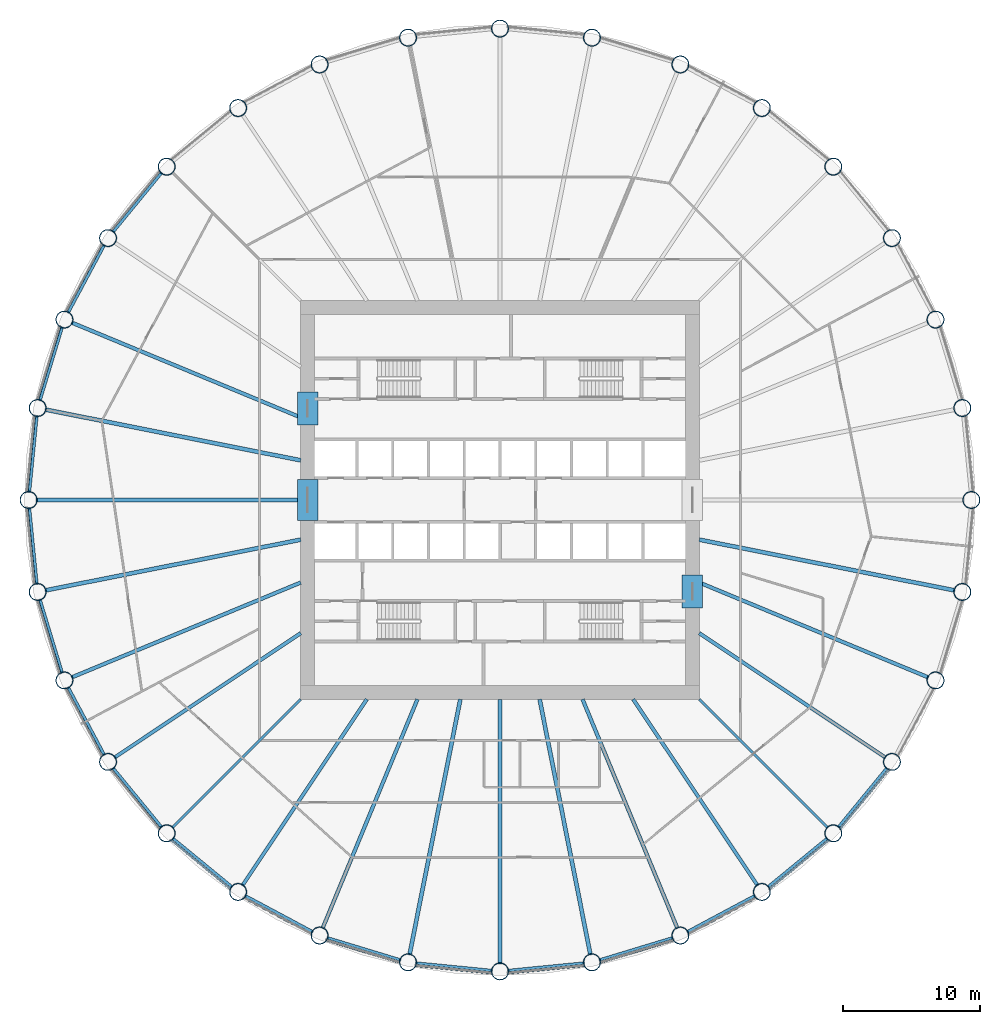
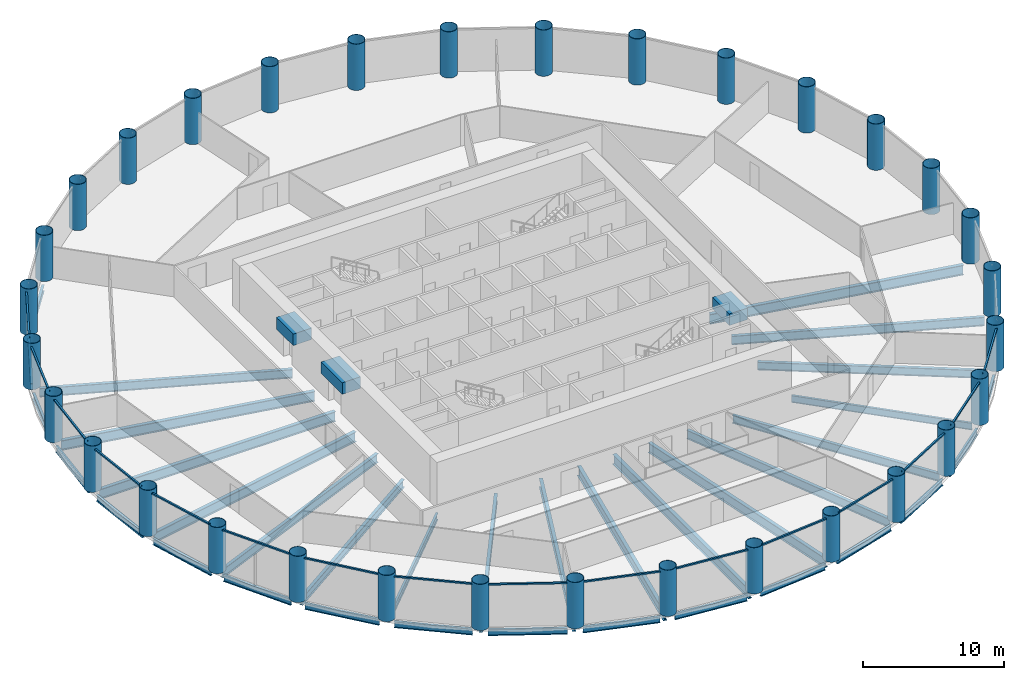
# One storey, part 1 of 8: 38 beams, 32 columns, 16 members, 16 elements without a shape of their own.
"""IFC4 building model written with IfcOpenShell, lengths in metres."""

from ifc_helpers import new_model, si_unit, direction, frame, origin, origin_2d, place, context, subcontext, project, spatial, rectangle, hollow_circle, i_section, extrude, material, material_profile, profile_set, type_object, element, aggregate, save


model = new_model("IFC4")

# Units and contexts
model_context = context("Model", 3, precision=1e-05, world=origin(), true_north=direction((0.0, 1.0)))
body_context = subcontext(model_context, "Body", "Model", "MODEL_VIEW")
ifc_project = project(units=[si_unit("LENGTHUNIT", "METRE"), si_unit("AREAUNIT", "SQUARE_METRE"), si_unit("VOLUMEUNIT", "CUBIC_METRE"), si_unit("PLANEANGLEUNIT", "RADIAN"), si_unit("MASSUNIT", "GRAM", prefix="KILO")], contexts=[model_context])

# Site, building, storey
site_placement = place(None, origin())
site = spatial("IfcSite", under=ifc_project, at=site_placement, CompositionType="ELEMENT")
building_placement = place(site_placement, origin())
building = spatial("IfcBuilding", under=site, at=building_placement, Name="Corvane Civic Tower", CompositionType="ELEMENT")
storey_placement = place(building_placement, frame((0.0, 0.0, 114.5)))
storey = spatial("IfcBuildingStorey", under=building, at=storey_placement, Name="L26", CompositionType="ELEMENT", Elevation=114.5)

# Columns
ifc_material_1 = material(Name="Steel ASTM A572 Gr 50", Category="steel")
ifc_material_profile_1 = material_profile(ifc_material_1, hollow_circle(Radius=0.625, WallThickness=0.035888671875, at=origin_2d()), Name="CHS1250X36")
ifc_profile_set_1 = profile_set([ifc_material_profile_1], Name="Steel ASTM A572 Gr 50")
column_type = type_object("IfcColumnType", Name="COMPOSITE COLUMN CHS1250X36", PredefinedType="COLUMN", material=ifc_profile_set_1)
for number, where, z_axis, x_axis, name in (
    (1, (0.0, 34.300048828125, 0.0), (0.0, 0.0, 1.0), (1.0, 0.0, 0.0), "COL-L26-B01"),
    (2, (6.691650390625, 33.640869140625, 0.0), (0.0, 0.0, 1.0), (1.0, 0.0, 0.0), "COL-L26-B02"),
    (3, (13.1259765625, 31.68896484375, 0.0), (0.0, 0.0, 1.0), (1.0, 0.0, 0.0), "COL-L26-B03"),
    (4, (19.05615234375, 28.519287109375, 0.0), (0.0, 0.0, 1.0), (1.0, 0.0, 0.0), "COL-L26-B04"),
    (5, (24.253662109375, 24.253662109375, 0.0), (0.0, 0.0, 1.0), (1.0, 0.0, 0.0), "COL-L26-B05"),
    (6, (28.519287109375, 19.05615234375, 0.0), (0.0, 0.0, 1.0), (1.0, 0.0, 0.0), "COL-L26-B06"),
    (7, (31.68896484375, 13.1259765625, 0.0), (0.0, 0.0, 1.0), (1.0, 0.0, 0.0), "COL-L26-B07"),
    (8, (33.640869140625, 6.691650390625, 0.0), (0.0, 0.0, 1.0), (1.0, 0.0, 0.0), "COL-L26-B08"),
    (9, (34.300048828125, 0.0, 0.0), (0.0, 0.0, 1.0), (1.0, 0.0, 0.0), "COL-L26-B09"),
    (10, (33.640869140625, -6.691650390625, 0.0), (0.0, 0.0, 1.0), (1.0, 0.0, 0.0), "COL-L26-B10"),
    (11, (31.68896484375, -13.1259765625, 0.0), (0.0, 0.0, 1.0), (1.0, 0.0, 0.0), "COL-L26-B11"),
    (12, (28.519287109375, -19.05615234375, 0.0), (0.0, 0.0, 1.0), (1.0, 0.0, 0.0), "COL-L26-B12"),
    (13, (24.253662109375, -24.253662109375, 0.0), (0.0, 0.0, 1.0), (1.0, 0.0, 0.0), "COL-L26-B13"),
    (14, (19.05615234375, -28.519287109375, 0.0), (0.0, 0.0, 1.0), (1.0, 0.0, 0.0), "COL-L26-B14"),
    (15, (13.1259765625, -31.68896484375, 0.0), (0.0, 0.0, 1.0), (1.0, 0.0, 0.0), "COL-L26-B15"),
    (16, (6.691650390625, -33.640869140625, 0.0), (0.0, 0.0, 1.0), (1.0, 0.0, 0.0), "COL-L26-B16"),
    (17, (0.0, -34.300048828125, 0.0), (0.0, 0.0, 1.0), (1.0, 0.0, 0.0), "COL-L26-B17"),
    (18, (-6.691650390625, -33.640869140625, 0.0), (0.0, 0.0, 1.0), (1.0, 0.0, 0.0), "COL-L26-B18"),
    (19, (-13.1259765625, -31.68896484375, 0.0), (0.0, 0.0, 1.0), (1.0, 0.0, 0.0), "COL-L26-B19"),
    (20, (-19.05615234375, -28.519287109375, 0.0), (0.0, 0.0, 1.0), (1.0, 0.0, 0.0), "COL-L26-B20"),
    (21, (-24.253662109375, -24.253662109375, 0.0), (0.0, 0.0, 1.0), (1.0, 0.0, 0.0), "COL-L26-B21"),
    (22, (-28.519287109375, -19.05615234375, 0.0), (0.0, 0.0, 1.0), (1.0, 0.0, 0.0), "COL-L26-B22"),
    (23, (-31.68896484375, -13.1259765625, 0.0), (0.0, 0.0, 1.0), (1.0, 0.0, 0.0), "COL-L26-B23"),
    (24, (-33.640869140625, -6.691650390625, 0.0), (0.0, 0.0, 1.0), (1.0, 0.0, 0.0), "COL-L26-B24"),
    (25, (-34.300048828125, 0.0, 0.0), (0.0, 0.0, 1.0), (1.0, 0.0, 0.0), "COL-L26-B25"),
    (26, (-33.640869140625, 6.691650390625, 0.0), (0.0, 0.0, 1.0), (1.0, 0.0, 0.0), "COL-L26-B26"),
    (27, (-31.68896484375, 13.1259765625, 0.0), (0.0, 0.0, 1.0), (1.0, 0.0, 0.0), "COL-L26-B27"),
    (28, (-28.519287109375, 19.05615234375, 0.0), (0.0, 0.0, 1.0), (1.0, 0.0, 0.0), "COL-L26-B28"),
    (29, (-24.253662109375, 24.253662109375, 0.0), (0.0, 0.0, 1.0), (1.0, 0.0, 0.0), "COL-L26-B29"),
    (30, (-19.05615234375, 28.519287109375, 0.0), (0.0, 0.0, 1.0), (1.0, 0.0, 0.0), "COL-L26-B30"),
    (31, (-13.1259765625, 31.68896484375, 0.0), (0.0, 0.0, 1.0), (1.0, 0.0, 0.0), "COL-L26-B31"),
    (32, (-6.691650390625, 33.640869140625, 0.0), (0.0, 0.0, 1.0), (1.0, 0.0, 0.0), "COL-L26-B32"),
):
    element("IfcColumn", number, at=place(storey_placement, frame(where, z_axis=z_axis, x_axis=x_axis)), inside=storey, type_object=column_type, Name=name, PredefinedType="COLUMN", context=body_context, shape_type="SweptSolid", body=[
        extrude(hollow_circle(Radius=0.625, WallThickness=0.035888671875, at=origin_2d()), origin(), (0.0, 0.0, 1.0), 4.0),
    ])

# Beams
ifc_material_2 = material(Name="Concrete C70/85", Category="concrete")
ifc_material_profile_2 = material_profile(ifc_material_2, rectangle(XDim=1.5, YDim=1.0, at=origin_2d()), Name="COUPLING BEAM 1500X1000")
ifc_profile_set_2 = profile_set([ifc_material_profile_2], Name="Concrete C70/85")
beam_type_1 = type_object("IfcBeamType", Name="COUPLING BEAM COUPLING BEAM 1500X1000", PredefinedType="BEAM", material=ifc_profile_set_2)
beam_1_placement = place(storey_placement, frame((-14.0, -1.5, 2.60009765625), z_axis=(0.0, 1.0, 0.0), x_axis=(-1.0, 0.0, 0.0)))
element("IfcBeam", 33, at=beam_1_placement, inside=storey, type_object=beam_type_1, Name="BM-L26-cpl-CW-LW", PredefinedType="BEAM", context=body_context, shape_type="SweptSolid", body=[
    extrude(rectangle(XDim=1.5, YDim=1.0, at=origin_2d()), origin(), (0.0, 0.0, 1.0), 3.0),
])
for number, where, z_axis, x_axis, name in (
    (34, (-14.0, 5.449951171875, 2.60009765625), (0.0, 1.0, 0.0), (-1.0, 0.0, 0.0), "BM-L26-cpl-CW-WN"),
    (35, (14.0, -7.85009765625, 2.60009765625), (0.0, 1.0, 0.0), (-1.0, 0.0, 0.0), "BM-L26-cpl-CW-ES"),
):
    element("IfcBeam", number, at=place(storey_placement, frame(where, z_axis=z_axis, x_axis=x_axis)), inside=storey, type_object=beam_type_1, Name=name, PredefinedType="BEAM", context=body_context, shape_type="SweptSolid", body=[
        extrude(rectangle(XDim=1.5, YDim=1.0, at=origin_2d()), origin(), (0.0, 0.0, 1.0), 2.400146484375),
    ])
ifc_material_3 = material(Name="Steel ASTM A992 Gr 50", Category="steel")
ifc_material_profile_3 = material_profile(ifc_material_3, i_section(OverallWidth=0.209228515625, OverallDepth=0.533447265625, WebThickness=0.01025390625, FlangeThickness=0.015625, at=origin_2d()), Name="W21X62")
ifc_profile_set_3 = profile_set([ifc_material_profile_3], Name="Steel ASTM A992 Gr 50")
beam_type_2 = type_object("IfcBeamType", Name="EDGE BEAM W21X62", PredefinedType="BEAM", material=ifc_profile_set_3)
for number, where, z_axis, x_axis, name in (
    (36, (28.17041015625, -19.481201171875, -0.566650390625), (-0.634397765782, -0.773006775372, 0.0), (0.773006775372, -0.634397765782, 0.0), "BM-L26-E12"),
    (37, (23.82861328125, -24.6025390625, -0.566650390625), (-0.773006775372, -0.634397765782, 0.0), (0.634397765782, -0.773006775372, 0.0), "BM-L26-E13"),
    (38, (18.571044921875, -28.778564453125, -0.566650390625), (-0.88192357867, -0.471392407008, 0.0), (0.471392407008, -0.88192357867, 0.0), "BM-L26-E14"),
):
    element("IfcBeam", number, at=place(storey_placement, frame(where, z_axis=z_axis, x_axis=x_axis)), inside=storey, type_object=beam_type_2, Name=name, PredefinedType="BEAM", context=body_context, shape_type="SweptSolid", body=[
        extrude(i_section(OverallWidth=0.209228515625, OverallDepth=0.533447265625, WebThickness=0.01025390625, FlangeThickness=0.015625, at=origin_2d()), origin(), (0.0, 0.0, 1.0), 5.6240234375),
    ])
beam_2_placement = place(storey_placement, frame((12.599609375, -31.8486328125, -0.566650390625), z_axis=(-0.956936367498, -0.290297758448, 0.0), x_axis=(0.290297758448, -0.956936367498, 0.0)))
element("IfcBeam", 39, at=beam_2_placement, inside=storey, type_object=beam_type_2, Name="BM-L26-E15", PredefinedType="BEAM", context=body_context, shape_type="SweptSolid", body=[
    extrude(i_section(OverallWidth=0.209228515625, OverallDepth=0.533447265625, WebThickness=0.01025390625, FlangeThickness=0.015625, at=origin_2d()), origin(), (0.0, 0.0, 1.0), 5.623779296875),
])
for number, where, z_axis, x_axis, name in (
    (40, (6.144287109375, -33.69482421875, -0.566650390625), (-0.995184368522, -0.098020776625, 0.0), (0.098020776625, -0.995184368522, 0.0), "BM-L26-E16"),
    (41, (-0.54736328125, -34.24609375, -0.566650390625), (-0.995184368522, 0.098020776625, 0.0), (-0.098020776625, -0.995184368522, 0.0), "BM-L26-E17"),
):
    element("IfcBeam", number, at=place(storey_placement, frame(where, z_axis=z_axis, x_axis=x_axis)), inside=storey, type_object=beam_type_2, Name=name, PredefinedType="BEAM", context=body_context, shape_type="SweptSolid", body=[
        extrude(i_section(OverallWidth=0.209228515625, OverallDepth=0.533447265625, WebThickness=0.01025390625, FlangeThickness=0.015625, at=origin_2d()), origin(), (0.0, 0.0, 1.0), 5.6240234375),
    ])
beam_3_placement = place(storey_placement, frame((-7.218017578125, -33.481201171875, -0.566650390625), z_axis=(-0.956936367498, 0.290297758448, 0.0), x_axis=(-0.290297758448, -0.956936367498, 0.0)))
element("IfcBeam", 42, at=beam_3_placement, inside=storey, type_object=beam_type_2, Name="BM-L26-E18", PredefinedType="BEAM", context=body_context, shape_type="SweptSolid", body=[
    extrude(i_section(OverallWidth=0.209228515625, OverallDepth=0.533447265625, WebThickness=0.01025390625, FlangeThickness=0.015625, at=origin_2d()), origin(), (0.0, 0.0, 1.0), 5.623779296875),
])
for number, where, z_axis, x_axis, name in (
    (43, (-13.611083984375, -31.4296875, -0.566650390625), (-0.88192357867, 0.471392407008, 0.0), (-0.471392407008, -0.88192357867, 0.0), "BM-L26-E19"),
    (44, (-19.481201171875, -28.17041015625, -0.566650390625), (-0.773006775372, 0.634397765782, 0.0), (-0.634397765782, -0.773006775372, 0.0), "BM-L26-E20"),
    (45, (-24.6025390625, -23.82861328125, -0.566650390625), (-0.634397765782, 0.773006775372, 0.0), (-0.773006775372, -0.634397765782, 0.0), "BM-L26-E21"),
    (46, (-28.778564453125, -18.571044921875, -0.566650390625), (-0.471392407008, 0.88192357867, 0.0), (-0.88192357867, -0.471392407008, 0.0), "BM-L26-E22"),
):
    element("IfcBeam", number, at=place(storey_placement, frame(where, z_axis=z_axis, x_axis=x_axis)), inside=storey, type_object=beam_type_2, Name=name, PredefinedType="BEAM", context=body_context, shape_type="SweptSolid", body=[
        extrude(i_section(OverallWidth=0.209228515625, OverallDepth=0.533447265625, WebThickness=0.01025390625, FlangeThickness=0.015625, at=origin_2d()), origin(), (0.0, 0.0, 1.0), 5.6240234375),
    ])
beam_4_placement = place(storey_placement, frame((-31.8486328125, -12.599609375, -0.566650390625), z_axis=(-0.290297758448, 0.956936367498, 0.0), x_axis=(-0.956936367498, -0.290297758448, 0.0)))
element("IfcBeam", 47, at=beam_4_placement, inside=storey, type_object=beam_type_2, Name="BM-L26-E23", PredefinedType="BEAM", context=body_context, shape_type="SweptSolid", body=[
    extrude(i_section(OverallWidth=0.209228515625, OverallDepth=0.533447265625, WebThickness=0.01025390625, FlangeThickness=0.015625, at=origin_2d()), origin(), (0.0, 0.0, 1.0), 5.623779296875),
])
for number, where, z_axis, x_axis, name in (
    (48, (-33.69482421875, -6.144287109375, -0.566650390625), (-0.098020776625, 0.995184368522, 0.0), (-0.995184368522, -0.098020776625, 0.0), "BM-L26-E24"),
    (49, (-34.24609375, 0.54736328125, -0.566650390625), (0.098020776625, 0.995184368522, 0.0), (-0.995184368522, 0.098020776625, 0.0), "BM-L26-E25"),
):
    element("IfcBeam", number, at=place(storey_placement, frame(where, z_axis=z_axis, x_axis=x_axis)), inside=storey, type_object=beam_type_2, Name=name, PredefinedType="BEAM", context=body_context, shape_type="SweptSolid", body=[
        extrude(i_section(OverallWidth=0.209228515625, OverallDepth=0.533447265625, WebThickness=0.01025390625, FlangeThickness=0.015625, at=origin_2d()), origin(), (0.0, 0.0, 1.0), 5.6240234375),
    ])
beam_5_placement = place(storey_placement, frame((-33.481201171875, 7.218017578125, -0.566650390625), z_axis=(0.290297758448, 0.956936367498, 0.0), x_axis=(-0.956936367498, 0.290297758448, 0.0)))
element("IfcBeam", 50, at=beam_5_placement, inside=storey, type_object=beam_type_2, Name="BM-L26-E26", PredefinedType="BEAM", context=body_context, shape_type="SweptSolid", body=[
    extrude(i_section(OverallWidth=0.209228515625, OverallDepth=0.533447265625, WebThickness=0.01025390625, FlangeThickness=0.015625, at=origin_2d()), origin(), (0.0, 0.0, 1.0), 5.623779296875),
])
for number, where, z_axis, x_axis, name in (
    (51, (-31.4296875, 13.611083984375, -0.566650390625), (0.471392407008, 0.88192357867, 0.0), (-0.88192357867, 0.471392407008, 0.0), "BM-L26-E27"),
    (52, (-28.17041015625, 19.481201171875, -0.566650390625), (0.634397765782, 0.773006775372, 0.0), (-0.773006775372, 0.634397765782, 0.0), "BM-L26-E28"),
):
    element("IfcBeam", number, at=place(storey_placement, frame(where, z_axis=z_axis, x_axis=x_axis)), inside=storey, type_object=beam_type_2, Name=name, PredefinedType="BEAM", context=body_context, shape_type="SweptSolid", body=[
        extrude(i_section(OverallWidth=0.209228515625, OverallDepth=0.533447265625, WebThickness=0.01025390625, FlangeThickness=0.015625, at=origin_2d()), origin(), (0.0, 0.0, 1.0), 5.6240234375),
    ])
ifc_material_4 = material(Name="Steel ASTM A992 Gr 50", Category="steel")
ifc_material_profile_4 = material_profile(ifc_material_4, i_section(OverallWidth=0.177978515625, OverallDepth=0.599365234375, WebThickness=0.010009765625, FlangeThickness=0.012939453125, at=origin_2d()), Name="W24X55")
ifc_profile_set_4 = profile_set([ifc_material_profile_4], Name="Steel ASTM A992 Gr 50")
beam_type_3 = type_object("IfcBeamType", Name="FLOOR GIRDER W24X55", PredefinedType="BEAM", material=ifc_profile_set_4)
for number, where, z_axis, x_axis, name in (
    (53, (14.5, -14.5, -0.599609375), (0.707106781187, -0.707106781187, 0.0), (0.707106781187, 0.707106781187, 0.0), "BM-L26-G13"),
    (54, (-14.5, -14.5, -0.599609375), (-0.707106781187, -0.707106781187, 0.0), (0.707106781187, -0.707106781187, 0.0), "BM-L26-G21"),
):
    element("IfcBeam", number, at=place(storey_placement, frame(where, z_axis=z_axis, x_axis=x_axis)), inside=storey, type_object=beam_type_3, Name=name, PredefinedType="BEAM", context=body_context, shape_type="SweptSolid", body=[
        extrude(i_section(OverallWidth=0.177978515625, OverallDepth=0.599365234375, WebThickness=0.010009765625, FlangeThickness=0.012939453125, at=origin_2d()), origin(), (0.0, 0.0, 1.0), 13.24365234375),
    ])
ifc_material_5 = material(Name="Steel ASTM A992 Gr 50", Category="steel")
ifc_material_profile_5 = material_profile(ifc_material_5, i_section(OverallWidth=0.256591796875, OverallDepth=0.693359375, WebThickness=0.014404296875, FlangeThickness=0.023681640625, at=origin_2d()), Name="W27X114")
ifc_profile_set_5 = profile_set([ifc_material_profile_5], Name="Steel ASTM A992 Gr 50")
beam_type_4 = type_object("IfcBeamType", Name="FLOOR GIRDER W27X114", PredefinedType="BEAM", material=ifc_profile_set_5)
for number, where, z_axis, x_axis, name in (
    (55, (14.5, -9.6884765625, -0.646728515625), (0.83146493365, -0.555577235054, 0.0), (0.555577235054, 0.83146493365, 0.0), "BM-L26-G12"),
    (56, (9.6884765625, -14.5, -0.646728515625), (0.555577235054, -0.83146493365, 0.0), (0.83146493365, 0.555577235054, 0.0), "BM-L26-G14"),
    (57, (-9.6884765625, -14.5, -0.646728515625), (-0.555577235054, -0.83146493365, 0.0), (0.83146493365, -0.555577235054, 0.0), "BM-L26-G20"),
    (58, (-14.5, -9.6884765625, -0.646728515625), (-0.83146493365, -0.555577235054, 0.0), (0.555577235054, -0.83146493365, 0.0), "BM-L26-G22"),
):
    element("IfcBeam", number, at=place(storey_placement, frame(where, z_axis=z_axis, x_axis=x_axis)), inside=storey, type_object=beam_type_4, Name=name, PredefinedType="BEAM", context=body_context, shape_type="SweptSolid", body=[
        extrude(i_section(OverallWidth=0.256591796875, OverallDepth=0.693359375, WebThickness=0.014404296875, FlangeThickness=0.023681640625, at=origin_2d()), origin(), (0.0, 0.0, 1.0), 16.31103515625),
    ])
ifc_material_6 = material(Name="Steel ASTM A992 Gr 50", Category="steel")
ifc_material_profile_6 = material_profile(ifc_material_6, i_section(OverallWidth=0.2666015625, OverallDepth=0.7568359375, WebThickness=0.013916015625, FlangeThickness=0.019287109375, at=origin_2d()), Name="W30X108")
ifc_profile_set_6 = profile_set([ifc_material_profile_6], Name="Steel ASTM A992 Gr 50")
beam_type_5 = type_object("IfcBeamType", Name="FLOOR GIRDER W30X108", PredefinedType="BEAM", material=ifc_profile_set_6)
for number, where, z_axis, x_axis, name in (
    (59, (14.5, -6.006103515625, -0.678466796875), (0.923880209691, -0.382681797504, 0.0), (0.382681797504, 0.923880209691, 0.0), "BM-L26-G11"),
    (60, (6.006103515625, -14.5, -0.678466796875), (0.382681797504, -0.923880209691, 0.0), (0.923880209691, 0.382681797504, 0.0), "BM-L26-G15"),
    (61, (-6.006103515625, -14.5, -0.678466796875), (-0.382681797504, -0.923880209691, 0.0), (0.923880209691, -0.382681797504, 0.0), "BM-L26-G19"),
    (62, (-14.5, -6.006103515625, -0.678466796875), (-0.923880209691, -0.382681797504, 0.0), (0.382681797504, -0.923880209691, 0.0), "BM-L26-G23"),
    (63, (-14.5, 6.006103515625, -0.678466796875), (-0.923880209691, 0.382681797504, 0.0), (-0.382681797504, -0.923880209691, 0.0), "BM-L26-G27"),
):
    element("IfcBeam", number, at=place(storey_placement, frame(where, z_axis=z_axis, x_axis=x_axis)), inside=storey, type_object=beam_type_5, Name=name, PredefinedType="BEAM", context=body_context, shape_type="SweptSolid", body=[
        extrude(i_section(OverallWidth=0.2666015625, OverallDepth=0.7568359375, WebThickness=0.013916015625, FlangeThickness=0.019287109375, at=origin_2d()), origin(), (0.0, 0.0, 1.0), 18.05517578125),
    ])
ifc_material_7 = material(Name="Steel ASTM A992 Gr 50", Category="steel")
ifc_material_profile_7 = material_profile(ifc_material_7, i_section(OverallWidth=0.2919921875, OverallDepth=0.8583984375, WebThickness=0.01708984375, FlangeThickness=0.031005859375, at=origin_2d()), Name="W33X169")
ifc_profile_set_7 = profile_set([ifc_material_profile_7], Name="Steel ASTM A992 Gr 50")
beam_type_6 = type_object("IfcBeamType", Name="FLOOR GIRDER W33X169", PredefinedType="BEAM", material=ifc_profile_set_7)
for number, where, z_axis, x_axis, name in (
    (64, (14.5, -2.88427734375, -0.729248046875), (0.9807865885, -0.195083745652, 0.0), (0.195083745652, 0.9807865885, 0.0), "BM-L26-G10"),
    (65, (2.88427734375, -14.5, -0.729248046875), (0.195083745652, -0.9807865885, 0.0), (0.9807865885, 0.195083745652, 0.0), "BM-L26-G16"),
):
    element("IfcBeam", number, at=place(storey_placement, frame(where, z_axis=z_axis, x_axis=x_axis)), inside=storey, type_object=beam_type_6, Name=name, PredefinedType="BEAM", context=body_context, shape_type="SweptSolid", body=[
        extrude(i_section(OverallWidth=0.2919921875, OverallDepth=0.8583984375, WebThickness=0.01708984375, FlangeThickness=0.031005859375, at=origin_2d()), origin(), (0.0, 0.0, 1.0), 18.966064453125),
    ])
beam_6_placement = place(storey_placement, frame((0.0, -14.5, -0.729248046875), z_axis=(0.0, -1.0, 0.0), x_axis=(1.0, 0.0, 0.0)))
element("IfcBeam", 66, at=beam_6_placement, inside=storey, type_object=beam_type_6, Name="BM-L26-G17", PredefinedType="BEAM", context=body_context, shape_type="SweptSolid", body=[
    extrude(i_section(OverallWidth=0.2919921875, OverallDepth=0.8583984375, WebThickness=0.01708984375, FlangeThickness=0.031005859375, at=origin_2d()), origin(), (0.0, 0.0, 1.0), 19.25),
])
for number, where, z_axis, x_axis, name in (
    (67, (-2.88427734375, -14.5, -0.729248046875), (-0.195083745652, -0.9807865885, 0.0), (0.9807865885, -0.195083745652, 0.0), "BM-L26-G18"),
    (68, (-14.5, -2.88427734375, -0.729248046875), (-0.9807865885, -0.195083745652, 0.0), (0.195083745652, -0.9807865885, 0.0), "BM-L26-G24"),
):
    element("IfcBeam", number, at=place(storey_placement, frame(where, z_axis=z_axis, x_axis=x_axis)), inside=storey, type_object=beam_type_6, Name=name, PredefinedType="BEAM", context=body_context, shape_type="SweptSolid", body=[
        extrude(i_section(OverallWidth=0.2919921875, OverallDepth=0.8583984375, WebThickness=0.01708984375, FlangeThickness=0.031005859375, at=origin_2d()), origin(), (0.0, 0.0, 1.0), 18.966064453125),
    ])
beam_7_placement = place(storey_placement, frame((-14.5, 0.0, -0.729248046875), z_axis=(-1.0, 0.0, 0.0), x_axis=(0.0, -1.0, 0.0)))
element("IfcBeam", 69, at=beam_7_placement, inside=storey, type_object=beam_type_6, Name="BM-L26-G25", PredefinedType="BEAM", context=body_context, shape_type="SweptSolid", body=[
    extrude(i_section(OverallWidth=0.2919921875, OverallDepth=0.8583984375, WebThickness=0.01708984375, FlangeThickness=0.031005859375, at=origin_2d()), origin(), (0.0, 0.0, 1.0), 19.25),
])
beam_8_placement = place(storey_placement, frame((-14.5, 2.88427734375, -0.729248046875), z_axis=(-0.9807865885, 0.195083745652, 0.0), x_axis=(-0.195083745652, -0.9807865885, 0.0)))
element("IfcBeam", 70, at=beam_8_placement, inside=storey, type_object=beam_type_6, Name="BM-L26-G26", PredefinedType="BEAM", context=body_context, shape_type="SweptSolid", body=[
    extrude(i_section(OverallWidth=0.2919921875, OverallDepth=0.8583984375, WebThickness=0.01708984375, FlangeThickness=0.031005859375, at=origin_2d()), origin(), (0.0, 0.0, 1.0), 18.966064453125),
])

# Curtain wall, member
ifc_material_8 = material(Name="Anodised aluminium bronze", Category="aluminium")
curtain_wall_type = type_object("IfcCurtainWallType", Name="TOWER CW-T1 STICK CURTAIN WALL", PredefinedType="NOTDEFINED", material=ifc_material_8)
curtain_wall_1_placement = place(storey_placement, origin())
curtain_wall_1 = element("IfcCurtainWall", 71, at=curtain_wall_1_placement, inside=storey, type_object=curtain_wall_type, Name="Curtain wall CW-T1 L26 bay 12", PredefinedType="NOTDEFINED")
ifc_material_9 = material(Name="Anodised aluminium bronze", Category="aluminium")
ifc_material_profile_8 = material_profile(ifc_material_9, rectangle(XDim=0.139892578125, YDim=0.1201171875, at=origin_2d()), Name="TOWER CW-T1 TRANSOM 140x120")
ifc_profile_set_8 = profile_set([ifc_material_profile_8], Name="Anodised aluminium bronze")
member_type = type_object("IfcMemberType", Name="TOWER CW-T1 TRANSOM 140x120", PredefinedType="USERDEFINED", material=ifc_profile_set_8)
member_1_placement = place(storey_placement, frame((28.297119140625, -19.609619140625, 3.68994140625), z_axis=(-0.634410369295, -0.772996431642, 0.0), x_axis=(0.772996431642, -0.634410369295, 0.0)))
member_1 = element("IfcMember", 72, at=member_1_placement, type_object=member_type, Name="Transom CW-T1 L26 12.1", ObjectType="TRANSOM", PredefinedType="USERDEFINED", context=body_context, shape_type="SweptSolid", body=[
    extrude(rectangle(XDim=0.139892578125, YDim=0.1201171875, at=origin_2d()), origin(), (0.0, 0.0, 1.0), 5.586181640625),
])
aggregate(curtain_wall_1, [member_1])

curtain_wall_2_placement = place(storey_placement, origin())
curtain_wall_2 = element("IfcCurtainWall", 73, at=curtain_wall_2_placement, inside=storey, type_object=curtain_wall_type, Name="Curtain wall CW-T1 L26 bay 13", PredefinedType="NOTDEFINED")
member_2_placement = place(storey_placement, frame((23.927734375, -24.753173828125, 3.68994140625), z_axis=(-0.772996431642, -0.634410369295, 0.0), x_axis=(0.634410369295, -0.772996431642, 0.0)))
member_2 = element("IfcMember", 74, at=member_2_placement, type_object=member_type, Name="Transom CW-T1 L26 13.1", ObjectType="TRANSOM", PredefinedType="USERDEFINED", context=body_context, shape_type="SweptSolid", body=[
    extrude(rectangle(XDim=0.139892578125, YDim=0.1201171875, at=origin_2d()), origin(), (0.0, 0.0, 1.0), 5.586181640625),
])
aggregate(curtain_wall_2, [member_2])

curtain_wall_3_placement = place(storey_placement, origin())
curtain_wall_3 = element("IfcCurtainWall", 75, at=curtain_wall_3_placement, inside=storey, type_object=curtain_wall_type, Name="Curtain wall CW-T1 L26 bay 14", PredefinedType="NOTDEFINED")
member_3_placement = place(storey_placement, frame((18.63916015625, -28.945556640625, 3.68994140625), z_axis=(-0.881920705407, -0.47139778253, 0.0), x_axis=(0.47139778253, -0.881920705407, 0.0)))
member_3 = element("IfcMember", 76, at=member_3_placement, type_object=member_type, Name="Transom CW-T1 L26 14.1", ObjectType="TRANSOM", PredefinedType="USERDEFINED", context=body_context, shape_type="SweptSolid", body=[
    extrude(rectangle(XDim=0.139892578125, YDim=0.1201171875, at=origin_2d()), origin(), (0.0, 0.0, 1.0), 5.586669921875),
])
aggregate(curtain_wall_3, [member_3])

curtain_wall_4_placement = place(storey_placement, origin())
curtain_wall_4 = element("IfcCurtainWall", 77, at=curtain_wall_4_placement, inside=storey, type_object=curtain_wall_type, Name="Curtain wall CW-T1 L26 bay 15", PredefinedType="NOTDEFINED")
member_4_placement = place(storey_placement, frame((12.6337890625, -32.025634765625, 3.68994140625), z_axis=(-0.956944977029, -0.290269376509, 0.0), x_axis=(0.290269376509, -0.956944977029, 0.0)))
member_4 = element("IfcMember", 78, at=member_4_placement, type_object=member_type, Name="Transom CW-T1 L26 15.1", ObjectType="TRANSOM", PredefinedType="USERDEFINED", context=body_context, shape_type="SweptSolid", body=[
    extrude(rectangle(XDim=0.139892578125, YDim=0.1201171875, at=origin_2d()), origin(), (0.0, 0.0, 1.0), 5.58642578125),
])
aggregate(curtain_wall_4, [member_4])

curtain_wall_5_placement = place(storey_placement, origin())
curtain_wall_5 = element("IfcCurtainWall", 79, at=curtain_wall_5_placement, inside=storey, type_object=curtain_wall_type, Name="Curtain wall CW-T1 L26 bay 16", PredefinedType="NOTDEFINED")
member_5_placement = place(storey_placement, frame((6.14306640625, -33.874755859375, 3.68994140625), z_axis=(-0.995179807033, -0.098067077419, 0.0), x_axis=(0.098067077419, -0.995179807033, 0.0)))
member_5 = element("IfcMember", 80, at=member_5_placement, type_object=member_type, Name="Transom CW-T1 L26 16.1", ObjectType="TRANSOM", PredefinedType="USERDEFINED", context=body_context, shape_type="SweptSolid", body=[
    extrude(rectangle(XDim=0.139892578125, YDim=0.1201171875, at=origin_2d()), origin(), (0.0, 0.0, 1.0), 5.58642578125),
])
aggregate(curtain_wall_5, [member_5])

curtain_wall_6_placement = place(storey_placement, origin())
curtain_wall_6 = element("IfcCurtainWall", 81, at=curtain_wall_6_placement, inside=storey, type_object=curtain_wall_type, Name="Curtain wall CW-T1 L26 bay 17", PredefinedType="NOTDEFINED")
member_6_placement = place(storey_placement, frame((-0.58349609375, -34.422607421875, 3.68994140625), z_axis=(-0.995179807033, 0.098067077419, 0.0), x_axis=(-0.098067077419, -0.995179807033, 0.0)))
member_6 = element("IfcMember", 82, at=member_6_placement, type_object=member_type, Name="Transom CW-T1 L26 17.1", ObjectType="TRANSOM", PredefinedType="USERDEFINED", context=body_context, shape_type="SweptSolid", body=[
    extrude(rectangle(XDim=0.139892578125, YDim=0.1201171875, at=origin_2d()), origin(), (0.0, 0.0, 1.0), 5.58642578125),
])
aggregate(curtain_wall_6, [member_6])

curtain_wall_7_placement = place(storey_placement, origin())
curtain_wall_7 = element("IfcCurtainWall", 83, at=curtain_wall_7_placement, inside=storey, type_object=curtain_wall_type, Name="Curtain wall CW-T1 L26 bay 18", PredefinedType="NOTDEFINED")
member_7_placement = place(storey_placement, frame((-7.287841796875, -33.647216796875, 3.68994140625), z_axis=(-0.956944977029, 0.290269376509, 0.0), x_axis=(-0.290269376509, -0.956944977029, 0.0)))
member_7 = element("IfcMember", 84, at=member_7_placement, type_object=member_type, Name="Transom CW-T1 L26 18.1", ObjectType="TRANSOM", PredefinedType="USERDEFINED", context=body_context, shape_type="SweptSolid", body=[
    extrude(rectangle(XDim=0.139892578125, YDim=0.1201171875, at=origin_2d()), origin(), (0.0, 0.0, 1.0), 5.58642578125),
])
aggregate(curtain_wall_7, [member_7])

curtain_wall_8_placement = place(storey_placement, origin())
curtain_wall_8 = element("IfcCurtainWall", 85, at=curtain_wall_8_placement, inside=storey, type_object=curtain_wall_type, Name="Curtain wall CW-T1 L26 bay 19", PredefinedType="NOTDEFINED")
member_8_placement = place(storey_placement, frame((-13.712158203125, -31.5791015625, 3.68994140625), z_axis=(-0.881920705407, 0.47139778253, 0.0), x_axis=(-0.47139778253, -0.881920705407, 0.0)))
member_8 = element("IfcMember", 86, at=member_8_placement, type_object=member_type, Name="Transom CW-T1 L26 19.1", ObjectType="TRANSOM", PredefinedType="USERDEFINED", context=body_context, shape_type="SweptSolid", body=[
    extrude(rectangle(XDim=0.139892578125, YDim=0.1201171875, at=origin_2d()), origin(), (0.0, 0.0, 1.0), 5.586669921875),
])
aggregate(curtain_wall_8, [member_8])

curtain_wall_9_placement = place(storey_placement, origin())
curtain_wall_9 = element("IfcCurtainWall", 87, at=curtain_wall_9_placement, inside=storey, type_object=curtain_wall_type, Name="Curtain wall CW-T1 L26 bay 20", PredefinedType="NOTDEFINED")
member_9_placement = place(storey_placement, frame((-19.609619140625, -28.297119140625, 3.68994140625), z_axis=(-0.772996431642, 0.634410369295, 0.0), x_axis=(-0.634410369295, -0.772996431642, 0.0)))
member_9 = element("IfcMember", 88, at=member_9_placement, type_object=member_type, Name="Transom CW-T1 L26 20.1", ObjectType="TRANSOM", PredefinedType="USERDEFINED", context=body_context, shape_type="SweptSolid", body=[
    extrude(rectangle(XDim=0.139892578125, YDim=0.1201171875, at=origin_2d()), origin(), (0.0, 0.0, 1.0), 5.586181640625),
])
aggregate(curtain_wall_9, [member_9])

curtain_wall_10_placement = place(storey_placement, origin())
curtain_wall_10 = element("IfcCurtainWall", 89, at=curtain_wall_10_placement, inside=storey, type_object=curtain_wall_type, Name="Curtain wall CW-T1 L26 bay 21", PredefinedType="NOTDEFINED")
member_10_placement = place(storey_placement, frame((-24.753173828125, -23.927734375, 3.68994140625), z_axis=(-0.634410369295, 0.772996431642, 0.0), x_axis=(-0.772996431642, -0.634410369295, 0.0)))
member_10 = element("IfcMember", 90, at=member_10_placement, type_object=member_type, Name="Transom CW-T1 L26 21.1", ObjectType="TRANSOM", PredefinedType="USERDEFINED", context=body_context, shape_type="SweptSolid", body=[
    extrude(rectangle(XDim=0.139892578125, YDim=0.1201171875, at=origin_2d()), origin(), (0.0, 0.0, 1.0), 5.586181640625),
])
aggregate(curtain_wall_10, [member_10])

curtain_wall_11_placement = place(storey_placement, origin())
curtain_wall_11 = element("IfcCurtainWall", 91, at=curtain_wall_11_placement, inside=storey, type_object=curtain_wall_type, Name="Curtain wall CW-T1 L26 bay 22", PredefinedType="NOTDEFINED")
member_11_placement = place(storey_placement, frame((-28.945556640625, -18.63916015625, 3.68994140625), z_axis=(-0.47139778253, 0.881920705407, 0.0), x_axis=(-0.881920705407, -0.47139778253, 0.0)))
member_11 = element("IfcMember", 92, at=member_11_placement, type_object=member_type, Name="Transom CW-T1 L26 22.1", ObjectType="TRANSOM", PredefinedType="USERDEFINED", context=body_context, shape_type="SweptSolid", body=[
    extrude(rectangle(XDim=0.139892578125, YDim=0.1201171875, at=origin_2d()), origin(), (0.0, 0.0, 1.0), 5.586669921875),
])
aggregate(curtain_wall_11, [member_11])

curtain_wall_12_placement = place(storey_placement, origin())
curtain_wall_12 = element("IfcCurtainWall", 93, at=curtain_wall_12_placement, inside=storey, type_object=curtain_wall_type, Name="Curtain wall CW-T1 L26 bay 23", PredefinedType="NOTDEFINED")
member_12_placement = place(storey_placement, frame((-32.025634765625, -12.6337890625, 3.68994140625), z_axis=(-0.290269376509, 0.956944977029, 0.0), x_axis=(-0.956944977029, -0.290269376509, 0.0)))
member_12 = element("IfcMember", 94, at=member_12_placement, type_object=member_type, Name="Transom CW-T1 L26 23.1", ObjectType="TRANSOM", PredefinedType="USERDEFINED", context=body_context, shape_type="SweptSolid", body=[
    extrude(rectangle(XDim=0.139892578125, YDim=0.1201171875, at=origin_2d()), origin(), (0.0, 0.0, 1.0), 5.58642578125),
])
aggregate(curtain_wall_12, [member_12])

curtain_wall_13_placement = place(storey_placement, origin())
curtain_wall_13 = element("IfcCurtainWall", 95, at=curtain_wall_13_placement, inside=storey, type_object=curtain_wall_type, Name="Curtain wall CW-T1 L26 bay 24", PredefinedType="NOTDEFINED")
member_13_placement = place(storey_placement, frame((-33.874755859375, -6.14306640625, 3.68994140625), z_axis=(-0.098067077419, 0.995179807033, 0.0), x_axis=(-0.995179807033, -0.098067077419, 0.0)))
member_13 = element("IfcMember", 96, at=member_13_placement, type_object=member_type, Name="Transom CW-T1 L26 24.1", ObjectType="TRANSOM", PredefinedType="USERDEFINED", context=body_context, shape_type="SweptSolid", body=[
    extrude(rectangle(XDim=0.139892578125, YDim=0.1201171875, at=origin_2d()), origin(), (0.0, 0.0, 1.0), 5.58642578125),
])
aggregate(curtain_wall_13, [member_13])

curtain_wall_14_placement = place(storey_placement, origin())
curtain_wall_14 = element("IfcCurtainWall", 97, at=curtain_wall_14_placement, inside=storey, type_object=curtain_wall_type, Name="Curtain wall CW-T1 L26 bay 25", PredefinedType="NOTDEFINED")
member_14_placement = place(storey_placement, frame((-34.422607421875, 0.58349609375, 3.68994140625), z_axis=(0.098067077419, 0.995179807033, 0.0), x_axis=(-0.995179807033, 0.098067077419, 0.0)))
member_14 = element("IfcMember", 98, at=member_14_placement, type_object=member_type, Name="Transom CW-T1 L26 25.1", ObjectType="TRANSOM", PredefinedType="USERDEFINED", context=body_context, shape_type="SweptSolid", body=[
    extrude(rectangle(XDim=0.139892578125, YDim=0.1201171875, at=origin_2d()), origin(), (0.0, 0.0, 1.0), 5.58642578125),
])
aggregate(curtain_wall_14, [member_14])

curtain_wall_15_placement = place(storey_placement, origin())
curtain_wall_15 = element("IfcCurtainWall", 99, at=curtain_wall_15_placement, inside=storey, type_object=curtain_wall_type, Name="Curtain wall CW-T1 L26 bay 26", PredefinedType="NOTDEFINED")
member_15_placement = place(storey_placement, frame((-33.647216796875, 7.287841796875, 3.68994140625), z_axis=(0.290269376509, 0.956944977029, 0.0), x_axis=(-0.956944977029, 0.290269376509, 0.0)))
member_15 = element("IfcMember", 100, at=member_15_placement, type_object=member_type, Name="Transom CW-T1 L26 26.1", ObjectType="TRANSOM", PredefinedType="USERDEFINED", context=body_context, shape_type="SweptSolid", body=[
    extrude(rectangle(XDim=0.139892578125, YDim=0.1201171875, at=origin_2d()), origin(), (0.0, 0.0, 1.0), 5.58642578125),
])
aggregate(curtain_wall_15, [member_15])

curtain_wall_16_placement = place(storey_placement, origin())
curtain_wall_16 = element("IfcCurtainWall", 101, at=curtain_wall_16_placement, inside=storey, type_object=curtain_wall_type, Name="Curtain wall CW-T1 L26 bay 27", PredefinedType="NOTDEFINED")
member_16_placement = place(storey_placement, frame((-31.5791015625, 13.712158203125, 3.68994140625), z_axis=(0.47139778253, 0.881920705407, 0.0), x_axis=(-0.881920705407, 0.47139778253, 0.0)))
member_16 = element("IfcMember", 102, at=member_16_placement, type_object=member_type, Name="Transom CW-T1 L26 27.1", ObjectType="TRANSOM", PredefinedType="USERDEFINED", context=body_context, shape_type="SweptSolid", body=[
    extrude(rectangle(XDim=0.139892578125, YDim=0.1201171875, at=origin_2d()), origin(), (0.0, 0.0, 1.0), 5.586669921875),
])
aggregate(curtain_wall_16, [member_16])

save(model, "model.ifc")
